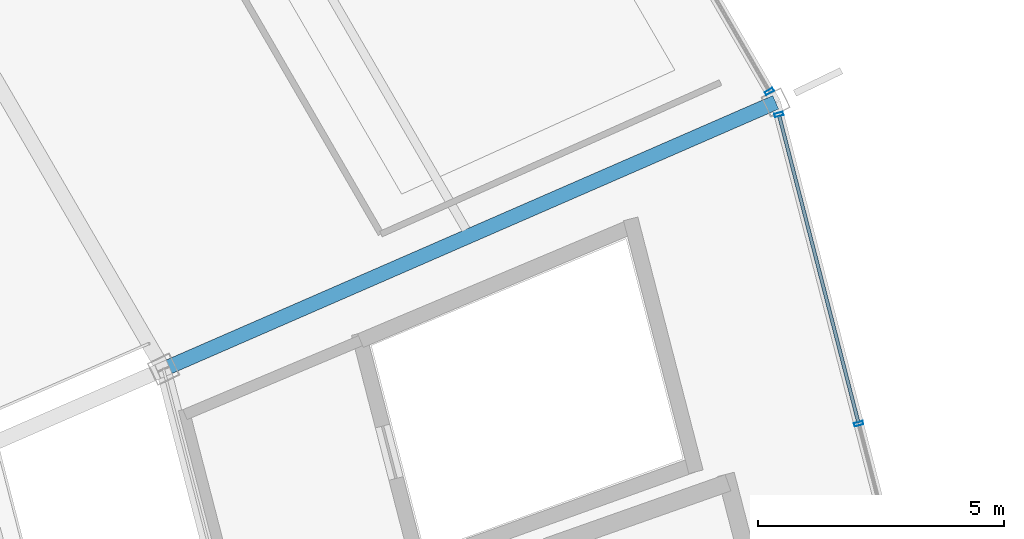
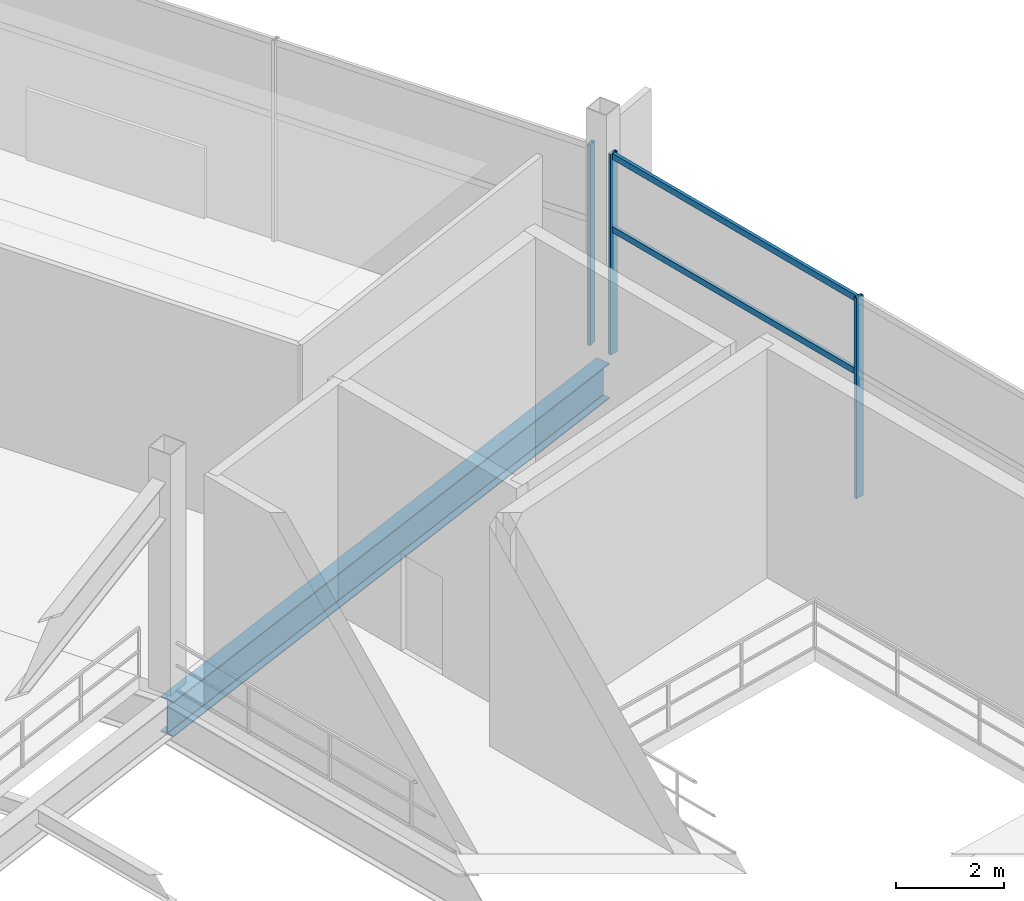
# One storey, part 81 of 186: 5 members, 1 beam, 2 elements without a shape of their own.
"""IFC4 building model written with IfcOpenShell, lengths in metres."""

from ifc_helpers import new_model, si_unit, direction, frame, origin, origin_2d, place, context, subcontext, project, spatial, hollow_rectangle, i_section, extrude, material, layer, layer_set, material_profile, profile_set, type_object, element, aggregate, save


model = new_model("IFC4")

# Units and contexts
model_context = context("Model", 3, precision=1e-05, world=origin(), true_north=direction((0.0, 1.0)))
body_context = subcontext(model_context, "Body", "Model", "MODEL_VIEW")
ifc_project = project(units=[si_unit("LENGTHUNIT", "METRE"), si_unit("AREAUNIT", "SQUARE_METRE"), si_unit("VOLUMEUNIT", "CUBIC_METRE"), si_unit("PLANEANGLEUNIT", "RADIAN"), si_unit("MASSUNIT", "GRAM", prefix="KILO")], contexts=[model_context])

# Site, building, storey
site_placement = place(None, origin())
site = spatial("IfcSite", under=ifc_project, at=site_placement, CompositionType="ELEMENT")
building_placement = place(site_placement, origin())
building = spatial("IfcBuilding", under=site, at=building_placement, Name="Kazemori Nagisa Stadium", CompositionType="ELEMENT")
storey_placement = place(building_placement, frame((0.0, 0.0, 20.39990234375)))
storey = spatial("IfcBuildingStorey", under=building, at=storey_placement, Name="L04", CompositionType="ELEMENT", Elevation=20.39990234375)

# Beam
ifc_material_1 = material(Name="Steel SN490B", Category="steel")
ifc_material_profile_1 = material_profile(ifc_material_1, i_section(OverallWidth=0.300048828125, OverallDepth=0.800048828125, WebThickness=0.013916015625, FlangeThickness=0.02587890625, FilletRadius=0.01806640625, at=origin_2d()), Name="H-800x300x14x26")
ifc_profile_set_1 = profile_set([ifc_material_profile_1], Name="Steel SN490B")
beam_type = type_object("IfcBeamType", Name="Beam_BG-H800", PredefinedType="BEAM", material=ifc_profile_set_1)
beam_placement = place(storey_placement, frame((199.44091796875, 135.32470703125, -0.699951171875), z_axis=(0.916683633521, 0.399613708517, 0.0), x_axis=(-0.399613708517, 0.916683633521, 0.0)))
element("IfcBeam", 1, at=beam_placement, inside=storey, type_object=beam_type, Name="Radial girder BG-H800 L04 R2-R3-03", PredefinedType="BEAM", context=body_context, shape_type="SweptSolid", body=[
    extrude(i_section(OverallWidth=0.300048828125, OverallDepth=0.800048828125, WebThickness=0.013916015625, FlangeThickness=0.02587890625, FilletRadius=0.01806640625, at=origin_2d()), origin(), (0.0, 0.0, 1.0), 13.5751953125),
])

# Curtain wall, members
ifc_material_2 = material(Name="Anodised aluminium 6063-T5", Category="aluminium")
ifc_layer_1 = layer(ifc_material_2, 0.179931640625, Name="Anodised aluminium 6063-T5", Category="aluminium")
ifc_layer_set_1 = layer_set([ifc_layer_1], Name="Anodised aluminium 6063-T5")
curtain_wall_type_1 = type_object("IfcCurtainWallType", Name="CW_L04R3_98", PredefinedType="USERDEFINED", material=ifc_layer_set_1)
curtain_wall_1_placement = place(storey_placement, origin())
curtain_wall_1 = element("IfcCurtainWall", 2, at=curtain_wall_1_placement, inside=storey, type_object=curtain_wall_type_1, Name="Unitised curtain wall CW-L04R3-98 L04", ObjectType="UNITISED CURTAIN WALL", PredefinedType="USERDEFINED")
ifc_material_3 = material(Name="Aluminium 6063-T5 anodised", Category="aluminium")
ifc_material_profile_2 = material_profile(ifc_material_3, hollow_rectangle(XDim=0.070068359375, YDim=0.179931640625, WallThickness=0.00390625, at=origin_2d()), Name="ALU-MULL-70x180x4")
ifc_profile_set_2 = profile_set([ifc_material_profile_2], Name="Aluminium 6063-T5 anodised")
member_type_1 = type_object("IfcMemberType", Name="Mullion_M01", PredefinedType="MULLION", material=ifc_profile_set_2)
member_1_placement = place(storey_placement, frame((213.571533203125, 134.216552734375, 0.0), z_axis=(0.0, 0.0, 1.0), x_axis=(-0.249964642418, 0.968254965152, 0.0)))
member_1 = element("IfcMember", 3, at=member_1_placement, type_object=member_type_1, Name="Curtain wall mullion CW-L04R3-98-M3", PredefinedType="MULLION", context=body_context, shape_type="SweptSolid", body=[
    extrude(hollow_rectangle(XDim=0.070068359375, YDim=0.179931640625, WallThickness=0.00390625, at=origin_2d()), origin(), (0.0, 0.0, 1.0), 4.530029296875),
])
member_2_placement = place(storey_placement, frame((211.94873046875, 140.502685546875, 0.0), z_axis=(0.0, 0.0, 1.0), x_axis=(-0.249964642418, 0.968254965152, 0.0)))
member_2 = element("IfcMember", 4, at=member_2_placement, type_object=member_type_1, Name="Curtain wall mullion CW-L04R3-98-M4", PredefinedType="MULLION", context=body_context, shape_type="SweptSolid", body=[
    extrude(hollow_rectangle(XDim=0.070068359375, YDim=0.179931640625, WallThickness=0.00390625, at=origin_2d()), origin(), (0.0, 0.0, 1.0), 4.530029296875),
])

# Curtain wall, member
ifc_layer_2 = layer(ifc_material_2, 0.179931640625, Name="Anodised aluminium 6063-T5", Category="aluminium")
ifc_layer_set_2 = layer_set([ifc_layer_2], Name="Anodised aluminium 6063-T5")
curtain_wall_type_2 = type_object("IfcCurtainWallType", Name="CW_L04R3_101", PredefinedType="USERDEFINED", material=ifc_layer_set_2)
curtain_wall_2_placement = place(storey_placement, origin())
curtain_wall_2 = element("IfcCurtainWall", 5, at=curtain_wall_2_placement, inside=storey, type_object=curtain_wall_type_2, Name="Unitised curtain wall CW-L04R3-101 L04", ObjectType="UNITISED CURTAIN WALL", PredefinedType="USERDEFINED")
member_3_placement = place(storey_placement, frame((211.757080078125, 140.97021484375, 0.0), z_axis=(0.0, 0.0, 1.0), x_axis=(-0.501611590054, 0.865092950337, 0.0)))
member_3 = element("IfcMember", 6, at=member_3_placement, type_object=member_type_1, Name="Curtain wall mullion CW-L04R3-101-M1", PredefinedType="MULLION", context=body_context, shape_type="SweptSolid", body=[
    extrude(hollow_rectangle(XDim=0.070068359375, YDim=0.179931640625, WallThickness=0.00390625, at=origin_2d()), origin(), (0.0, 0.0, 1.0), 4.530029296875),
])
aggregate(curtain_wall_2, [member_3])

# Member
ifc_material_profile_3 = material_profile(ifc_material_3, hollow_rectangle(XDim=0.070068359375, YDim=0.139892578125, WallThickness=0.00390625, at=origin_2d()), Name="ALU-TRAN-70x140x4")
ifc_profile_set_3 = profile_set([ifc_material_profile_3], Name="Aluminium 6063-T5 anodised")
member_type_2 = type_object("IfcMemberType", Name="Transom_T01", PredefinedType="USERDEFINED", material=ifc_profile_set_3)
member_4_placement = place(storey_placement, frame((213.56640625, 134.236083984375, 2.80859375), z_axis=(-0.249971861357, 0.968253101482, 0.0), x_axis=(-0.968253101482, -0.249971861357, 0.0)))
member_4 = element("IfcMember", 7, at=member_4_placement, type_object=member_type_2, Name="Curtain wall transom CW-L04R3-98-T3-mid", ObjectType="TRANSOM", PredefinedType="USERDEFINED", context=body_context, shape_type="SweptSolid", body=[
    extrude(hollow_rectangle(XDim=0.070068359375, YDim=0.139892578125, WallThickness=0.00390625, at=origin_2d()), origin(), (0.0, 0.0, 1.0), 6.451904296875),
])

member_5_placement = place(storey_placement, frame((213.56640625, 134.236083984375, 4.460205078125), z_axis=(-0.249971861357, 0.968253101482, 0.0), x_axis=(-0.968253101482, -0.249971861357, 0.0)))
member_5 = element("IfcMember", 8, at=member_5_placement, type_object=member_type_2, Name="Curtain wall transom CW-L04R3-98-T3-head", ObjectType="TRANSOM", PredefinedType="USERDEFINED", context=body_context, shape_type="SweptSolid", body=[
    extrude(hollow_rectangle(XDim=0.070068359375, YDim=0.139892578125, WallThickness=0.00390625, at=origin_2d()), origin(), (0.0, 0.0, 1.0), 6.451904296875),
])

aggregate(curtain_wall_1, [member_1, member_2, member_4, member_5])

save(model, "model.ifc")
